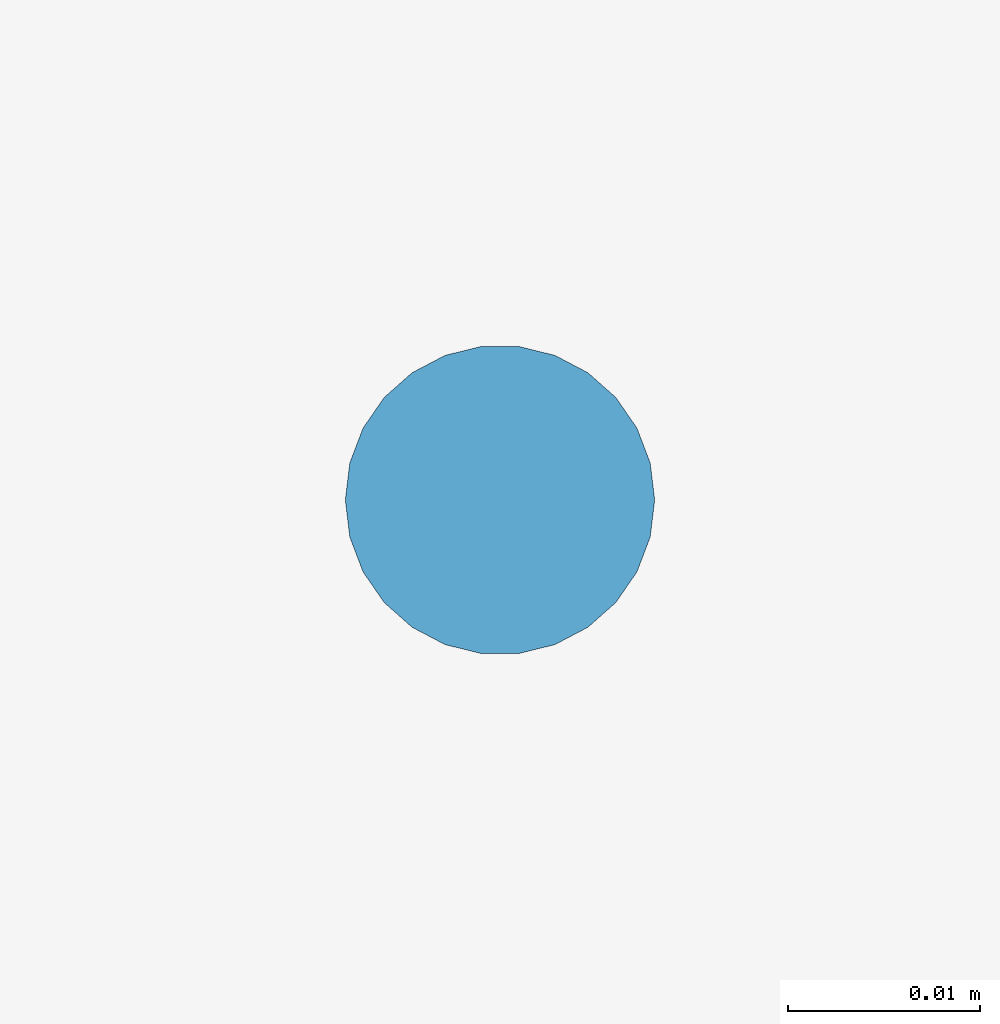
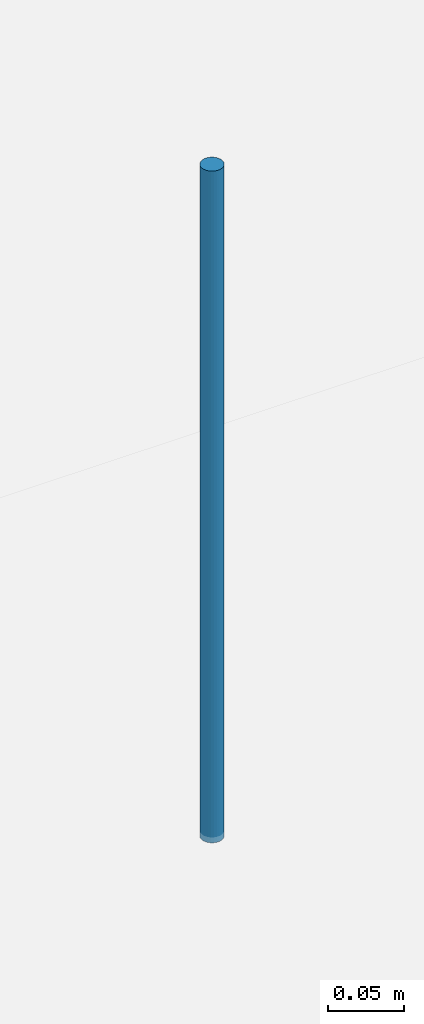
# One storey, part 70 of 82: 1 discrete accessory.
"""IFC4 building model written with IfcOpenShell, lengths in metres."""

from ifc_helpers import new_model, si_unit, direction, frame, origin, origin_2d, place, context, subcontext, project, spatial, circle, extrude, material, type_object, element, save


model = new_model("IFC4")

# Units and contexts
model_context = context("Model", 3, precision=1e-05, world=origin(), true_north=direction((0.0, 1.0)))
body_context = subcontext(model_context, "Body", "Model", "MODEL_VIEW")
ifc_project = project(units=[si_unit("LENGTHUNIT", "METRE"), si_unit("AREAUNIT", "SQUARE_METRE"), si_unit("VOLUMEUNIT", "CUBIC_METRE"), si_unit("PLANEANGLEUNIT", "RADIAN"), si_unit("MASSUNIT", "GRAM", prefix="KILO")], contexts=[model_context])

# Site, building, storey
site_placement = place(None, origin())
site = spatial("IfcSite", under=ifc_project, at=site_placement, CompositionType="ELEMENT")
building_placement = place(site_placement, origin())
building = spatial("IfcBuilding", under=site, at=building_placement, Name="Yukiwa Park Conservatory and Herbarium", CompositionType="ELEMENT")
storey_placement = place(building_placement, origin())
storey = spatial("IfcBuildingStorey", under=building, at=storey_placement, Name="L00", CompositionType="ELEMENT", Elevation=0.0)

# Discrete accessory
ifc_material = material(Name="Steel Q235B", Category="steel")
discrete_accessory_type = type_object("IfcDiscreteAccessoryType", Name="ACC-CEILING-HANGER", PredefinedType="BRACKET", material=ifc_material)
discrete_accessory_placement = place(storey_placement, frame((61.39990234375, 76.60009765625, 4.02490234375), z_axis=(0.0, 0.0, 1.0), x_axis=(1.0, 0.0, 0.0)))
element("IfcDiscreteAccessory", 1, at=discrete_accessory_placement, inside=storey, type_object=discrete_accessory_type, Name="Ceiling suspension hanger rod 4", PredefinedType="BRACKET", context=body_context, shape_type="SweptSolid", body=[
    extrude(circle(Radius=0.008056640625, at=origin_2d()), origin(), (0.0, 0.0, 1.0), 0.5400390625),
])

save(model, "model.ifc")
